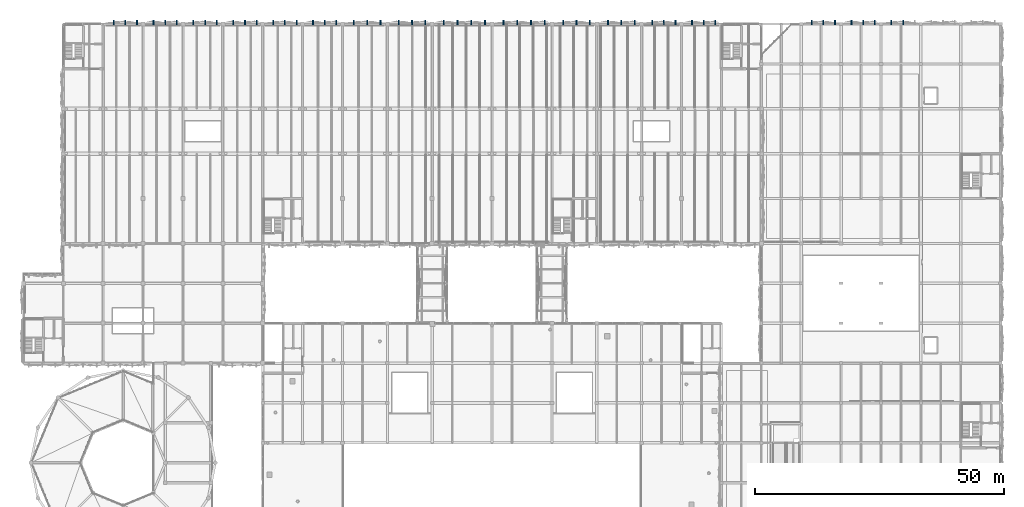
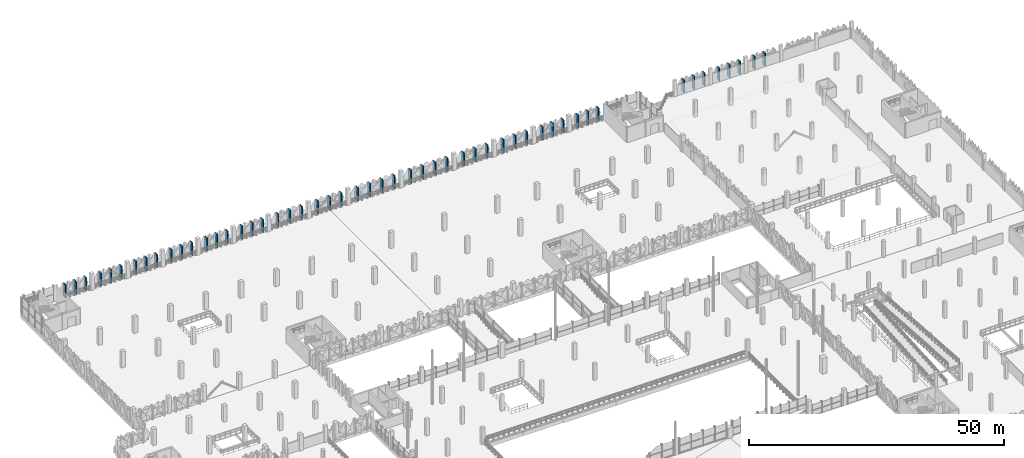
# One storey, part 85 of 123: 52 discrete accessories.
"""IFC4 building model written with IfcOpenShell, lengths in metres."""

from ifc_helpers import new_model, si_unit, derived_unit, direction, frame, origin, origin_2d, place, context, subcontext, project, spatial, rectangle, extrude, material, type_object, element, save


model = new_model("IFC4")

# Units and contexts
model_context = context("Model", 3, precision=1e-05, world=origin(), true_north=direction((0.0, 1.0)))
body_context = subcontext(model_context, "Body", "Model", "MODEL_VIEW")
ifc_project = project(units=[si_unit("LENGTHUNIT", "METRE"), si_unit("AREAUNIT", "SQUARE_METRE"), si_unit("VOLUMEUNIT", "CUBIC_METRE"), si_unit("PLANEANGLEUNIT", "RADIAN"), si_unit("MASSUNIT", "GRAM", prefix="KILO"), si_unit("THERMODYNAMICTEMPERATUREUNIT", "KELVIN"), derived_unit("THERMALTRANSMITTANCEUNIT", [(si_unit("POWERUNIT", "WATT"), 1), (si_unit("AREAUNIT", "SQUARE_METRE"), -1), (si_unit("THERMODYNAMICTEMPERATUREUNIT", "KELVIN"), -1)])], contexts=[model_context])

# Site, building, storey
site_placement = place(None, origin())
site = spatial("IfcSite", under=ifc_project, at=site_placement, CompositionType="ELEMENT")
building_placement = place(site_placement, origin())
building = spatial("IfcBuilding", under=site, at=building_placement, Name="Haiyu Intermodal Mobility Hub", CompositionType="ELEMENT")
storey_placement = place(building_placement, frame((0.0, 0.0, 5.60009765625)))
storey = spatial("IfcBuildingStorey", under=building, at=storey_placement, Name="L01", CompositionType="ELEMENT", Elevation=5.60009765625)

# Discrete accessories
ifc_material = material(Name="Steel Q355C", Category="steel")
discrete_accessory_type = type_object("IfcDiscreteAccessoryType", Name="ACC-BK02", PredefinedType="BRACKET", material=ifc_material)
for number, where, z_axis, x_axis, name in (
    (1, (36.787109375, 148.340087890625, 0.0498046875), (0.0, 0.0, 1.0), (1.0, 0.0, 0.0), "BRK-PYR-0003"),
    (2, (34.43994140625, 148.340087890625, 0.0498046875), (0.0, 0.0, 1.0), (1.0, 0.0, 0.0), "BRK-PYR-0006"),
    (3, (32.093017578125, 148.340087890625, 0.0498046875), (0.0, 0.0, 1.0), (1.0, 0.0, 0.0), "BRK-PYR-0007"),
    (4, (44.787109375, 148.340087890625, 0.0498046875), (0.0, 0.0, 1.0), (1.0, 0.0, 0.0), "BRK-PYR-0038"),
    (5, (42.43994140625, 148.340087890625, 0.0498046875), (0.0, 0.0, 1.0), (1.0, 0.0, 0.0), "BRK-PYR-0041"),
    (6, (40.093017578125, 148.340087890625, 0.0498046875), (0.0, 0.0, 1.0), (1.0, 0.0, 0.0), "BRK-PYR-0042"),
    (7, (52.787109375, 148.340087890625, 0.0498046875), (0.0, 0.0, 1.0), (1.0, 0.0, 0.0), "BRK-PYR-0073"),
    (8, (50.43994140625, 148.340087890625, 0.0498046875), (0.0, 0.0, 1.0), (1.0, 0.0, 0.0), "BRK-PYR-0076"),
    (9, (48.093017578125, 148.340087890625, 0.0498046875), (0.0, 0.0, 1.0), (1.0, 0.0, 0.0), "BRK-PYR-0077"),
    (10, (60.787109375, 148.340087890625, 0.0498046875), (0.0, 0.0, 1.0), (1.0, 0.0, 0.0), "BRK-PYR-0108"),
    (11, (58.43994140625, 148.340087890625, 0.0498046875), (0.0, 0.0, 1.0), (1.0, 0.0, 0.0), "BRK-PYR-0111"),
    (12, (56.093017578125, 148.340087890625, 0.0498046875), (0.0, 0.0, 1.0), (1.0, 0.0, 0.0), "BRK-PYR-0112"),
    (13, (68.787109375, 148.340087890625, 0.0498046875), (0.0, 0.0, 1.0), (1.0, 0.0, 0.0), "BRK-PYR-0143"),
    (14, (66.43994140625, 148.340087890625, 0.0498046875), (0.0, 0.0, 1.0), (1.0, 0.0, 0.0), "BRK-PYR-0146"),
    (15, (64.093017578125, 148.340087890625, 0.0498046875), (0.0, 0.0, 1.0), (1.0, 0.0, 0.0), "BRK-PYR-0147"),
    (16, (76.787109375, 148.340087890625, 0.0498046875), (0.0, 0.0, 1.0), (1.0, 0.0, 0.0), "BRK-PYR-0178"),
    (17, (74.43994140625, 148.340087890625, 0.0498046875), (0.0, 0.0, 1.0), (1.0, 0.0, 0.0), "BRK-PYR-0181"),
    (18, (72.093017578125, 148.340087890625, 0.0498046875), (0.0, 0.0, 1.0), (1.0, 0.0, 0.0), "BRK-PYR-0182"),
    (19, (85.6201171875, 148.340087890625, 0.0498046875), (0.0, 0.0, 1.0), (1.0, 0.0, 0.0), "BRK-PYR-0213"),
    (20, (82.93994140625, 148.340087890625, 0.0498046875), (0.0, 0.0, 1.0), (1.0, 0.0, 0.0), "BRK-PYR-0216"),
    (21, (80.260009765625, 148.340087890625, 0.0498046875), (0.0, 0.0, 1.0), (1.0, 0.0, 0.0), "BRK-PYR-0217"),
    (22, (94.6201171875, 148.340087890625, 0.0498046875), (0.0, 0.0, 1.0), (1.0, 0.0, 0.0), "BRK-PYR-0248"),
    (23, (91.93994140625, 148.340087890625, 0.0498046875), (0.0, 0.0, 1.0), (1.0, 0.0, 0.0), "BRK-PYR-0251"),
    (24, (89.260009765625, 148.340087890625, 0.0498046875), (0.0, 0.0, 1.0), (1.0, 0.0, 0.0), "BRK-PYR-0252"),
    (25, (106.580078125, 148.340087890625, 0.0498046875), (0.0, 0.0, 1.0), (1.0, 0.0, 0.0), "BRK-PYR-0283"),
    (26, (103.820068359375, 148.340087890625, 0.0498046875), (0.0, 0.0, 1.0), (1.0, 0.0, 0.0), "BRK-PYR-0286"),
    (27, (101.06005859375, 148.340087890625, 0.0498046875), (0.0, 0.0, 1.0), (1.0, 0.0, 0.0), "BRK-PYR-0289"),
    (28, (98.300048828125, 148.340087890625, 0.0498046875), (0.0, 0.0, 1.0), (1.0, 0.0, 0.0), "BRK-PYR-0290"),
    (29, (118.580078125, 148.340087890625, 0.0498046875), (0.0, 0.0, 1.0), (1.0, 0.0, 0.0), "BRK-PYR-0333"),
    (30, (115.820068359375, 148.340087890625, 0.0498046875), (0.0, 0.0, 1.0), (1.0, 0.0, 0.0), "BRK-PYR-0336"),
    (31, (113.06005859375, 148.340087890625, 0.0498046875), (0.0, 0.0, 1.0), (1.0, 0.0, 0.0), "BRK-PYR-0339"),
    (32, (110.300048828125, 148.340087890625, 0.0498046875), (0.0, 0.0, 1.0), (1.0, 0.0, 0.0), "BRK-PYR-0340"),
    (33, (127.6201171875, 148.340087890625, 0.0498046875), (0.0, 0.0, 1.0), (1.0, 0.0, 0.0), "BRK-PYR-0383"),
    (34, (124.93994140625, 148.340087890625, 0.0498046875), (0.0, 0.0, 1.0), (1.0, 0.0, 0.0), "BRK-PYR-0386"),
    (35, (122.260009765625, 148.340087890625, 0.0498046875), (0.0, 0.0, 1.0), (1.0, 0.0, 0.0), "BRK-PYR-0387"),
    (36, (136.6201171875, 148.340087890625, 0.0498046875), (0.0, 0.0, 1.0), (1.0, 0.0, 0.0), "BRK-PYR-0418"),
    (37, (133.93994140625, 148.340087890625, 0.0498046875), (0.0, 0.0, 1.0), (1.0, 0.0, 0.0), "BRK-PYR-0421"),
    (38, (131.260009765625, 148.340087890625, 0.0498046875), (0.0, 0.0, 1.0), (1.0, 0.0, 0.0), "BRK-PYR-0422"),
    (39, (144.787109375, 148.340087890625, 0.0498046875), (0.0, 0.0, 1.0), (1.0, 0.0, 0.0), "BRK-PYR-0453"),
    (40, (142.43994140625, 148.340087890625, 0.0498046875), (0.0, 0.0, 1.0), (1.0, 0.0, 0.0), "BRK-PYR-0456"),
    (41, (140.093017578125, 148.340087890625, 0.0498046875), (0.0, 0.0, 1.0), (1.0, 0.0, 0.0), "BRK-PYR-0457"),
    (42, (152.787109375, 148.340087890625, 0.0498046875), (0.0, 0.0, 1.0), (1.0, 0.0, 0.0), "BRK-PYR-0488"),
    (43, (150.43994140625, 148.340087890625, 0.0498046875), (0.0, 0.0, 1.0), (1.0, 0.0, 0.0), "BRK-PYR-0491"),
    (44, (148.093017578125, 148.340087890625, 0.0498046875), (0.0, 0.0, 1.0), (1.0, 0.0, 0.0), "BRK-PYR-0492"),
    (45, (176.787109375, 148.340087890625, 0.0498046875), (0.0, 0.0, 1.0), (1.0, 0.0, 0.0), "BRK-PYR-1073"),
    (46, (174.43994140625, 148.340087890625, 0.0498046875), (0.0, 0.0, 1.0), (1.0, 0.0, 0.0), "BRK-PYR-1076"),
    (47, (172.093017578125, 148.340087890625, 0.0498046875), (0.0, 0.0, 1.0), (1.0, 0.0, 0.0), "BRK-PYR-1077"),
    (48, (184.787109375, 148.340087890625, 0.0498046875), (0.0, 0.0, 1.0), (1.0, 0.0, 0.0), "BRK-PYR-1080"),
    (49, (182.43994140625, 148.340087890625, 0.0498046875), (0.0, 0.0, 1.0), (1.0, 0.0, 0.0), "BRK-PYR-1083"),
    (50, (180.093017578125, 148.340087890625, 0.0498046875), (0.0, 0.0, 1.0), (1.0, 0.0, 0.0), "BRK-PYR-1084"),
    (51, (190.43994140625, 148.340087890625, 0.0498046875), (0.0, 0.0, 1.0), (1.0, 0.0, 0.0), "BRK-PYR-1090"),
    (52, (188.093017578125, 148.340087890625, 0.0498046875), (0.0, 0.0, 1.0), (1.0, 0.0, 0.0), "BRK-PYR-1091"),
):
    element("IfcDiscreteAccessory", number, at=place(storey_placement, frame(where, z_axis=z_axis, x_axis=x_axis)), inside=storey, type_object=discrete_accessory_type, Name=name, PredefinedType="BRACKET", context=body_context, shape_type="SweptSolid", body=[
        extrude(rectangle(XDim=0.219970703125, YDim=0.949951171875, at=origin_2d()), origin(), (0.0, 0.0, 1.0), 3.10009765625),
    ])

save(model, "model.ifc")
